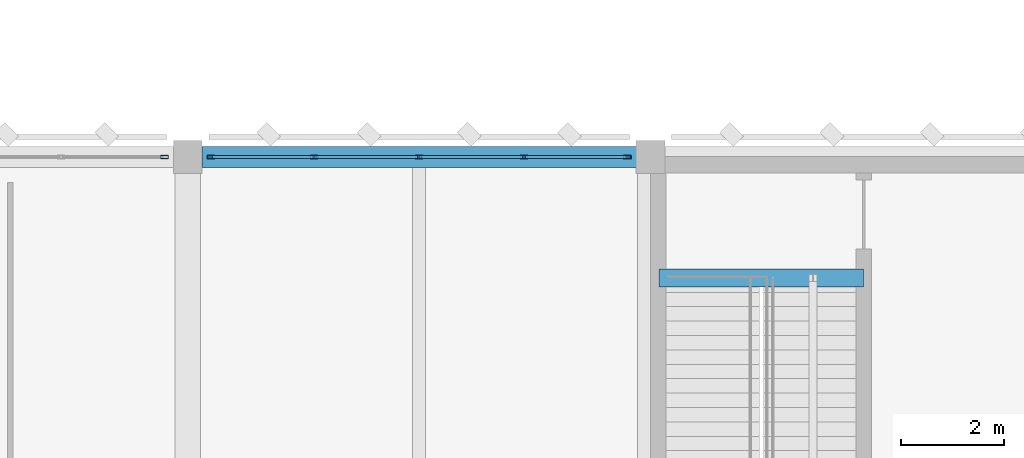
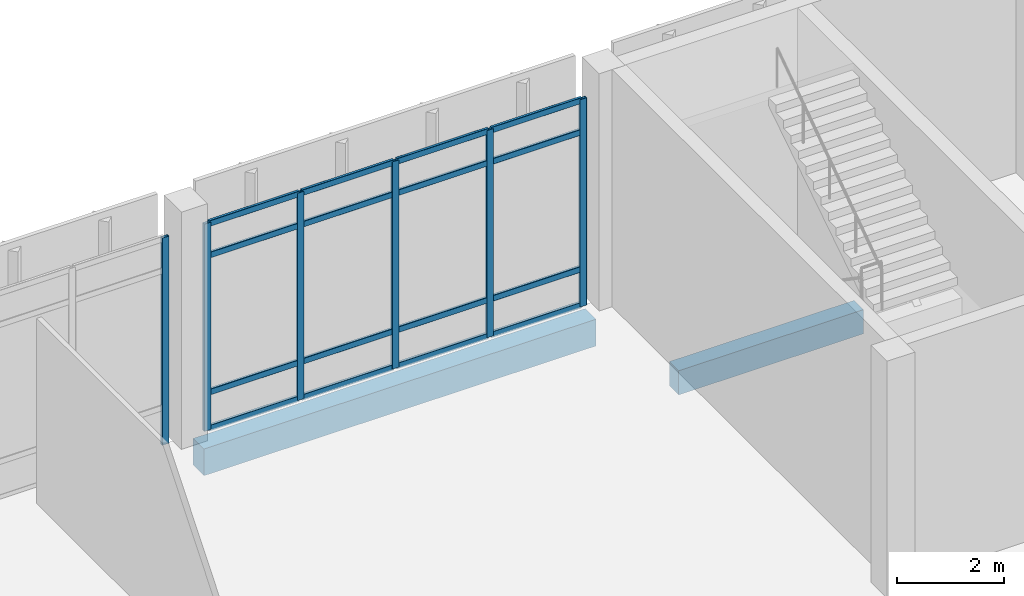
# One storey, part 93 of 180: 22 members, 2 beams, 2 elements without a shape of their own.
"""IFC4 building model written with IfcOpenShell, lengths in metres."""

from ifc_helpers import new_model, si_unit, direction, frame, origin, origin_2d, place, context, subcontext, project, spatial, rectangle, hollow_rectangle, extrude, material, material_profile, profile_set, type_object, element, aggregate, save


model = new_model("IFC4")

# Units and contexts
model_context = context("Model", 3, precision=1e-05, world=origin(), true_north=direction((0.0, 1.0)))
body_context = subcontext(model_context, "Body", "Model", "MODEL_VIEW")
ifc_project = project(units=[si_unit("LENGTHUNIT", "METRE"), si_unit("AREAUNIT", "SQUARE_METRE"), si_unit("VOLUMEUNIT", "CUBIC_METRE"), si_unit("PLANEANGLEUNIT", "RADIAN"), si_unit("MASSUNIT", "GRAM", prefix="KILO")], contexts=[model_context])

# Site, building, storey
site_placement = place(None, origin())
site = spatial("IfcSite", under=ifc_project, at=site_placement, CompositionType="ELEMENT")
building_placement = place(site_placement, origin())
building = spatial("IfcBuilding", under=site, at=building_placement, Name="Lusvemor Sports Hall", CompositionType="ELEMENT")
storey_placement = place(building_placement, frame((0.0, 0.0, 5.39990234375)))
storey = spatial("IfcBuildingStorey", under=building, at=storey_placement, Name="L01", CompositionType="ELEMENT", Elevation=5.39990234375)

# Beam
ifc_material_1 = material(Name="Concrete C40/50", Category="concrete")
ifc_material_profile_1 = material_profile(ifc_material_1, rectangle(XDim=0.35009765625, YDim=0.550048828125, at=origin_2d()), Name="RC350x550")
ifc_profile_set_1 = profile_set([ifc_material_profile_1], Name="Concrete C40/50")
beam_type_1 = type_object("IfcBeamType", Name="BEAM_RC_550", PredefinedType="BEAM", material=ifc_profile_set_1)
beam_1_placement = place(storey_placement, frame((102.760009765625, 112.85009765625, -0.454833984375), z_axis=(1.0, 0.0, 0.0), x_axis=(0.0, 1.0, 0.0)))
element("IfcBeam", 1, at=beam_1_placement, inside=storey, type_object=beam_type_1, Name="Stair STR-C4-L00 Top-Landing Beam", PredefinedType="BEAM", context=body_context, shape_type="SweptSolid", body=[
    extrude(rectangle(XDim=0.35009765625, YDim=0.550048828125, at=origin_2d()), origin(), (0.0, 0.0, 1.0), 3.97998046875),
])

# Curtain wall, member
ifc_material_2 = material(Name="Thermally broken bronze-anodized aluminium", Category="aluminium")
curtain_wall_type = type_object("IfcCurtainWallType", Name="CW_WING_B", PredefinedType="NOTDEFINED", material=ifc_material_2)
curtain_wall_1_placement = place(storey_placement, origin())
curtain_wall_1 = element("IfcCurtainWall", 2, at=curtain_wall_1_placement, inside=storey, type_object=curtain_wall_type, Name="Curtain Wall CW-L01-N-1-8", PredefinedType="NOTDEFINED")
ifc_material_3 = material(Name="Thermally broken bronze-anodized aluminium", Category="aluminium")
ifc_material_profile_2 = material_profile(ifc_material_3, hollow_rectangle(XDim=0.06494140625, YDim=0.14990234375, WallThickness=0.00390625, InnerFilletRadius=0.00390625, OuterFilletRadius=0.008056640625, at=origin_2d()), Name="CWMUL150x65x4")
ifc_profile_set_2 = profile_set([ifc_material_profile_2], Name="Thermally broken bronze-anodized aluminium")
member_type_1 = type_object("IfcMemberType", Name="CW_MUL_B", PredefinedType="MULLION", material=ifc_profile_set_2)
member_1_placement = place(storey_placement, frame((93.1474609375, 115.199951171875, 0.0), z_axis=(0.0, 0.0, 1.0), x_axis=(0.0, 1.0, 0.0)))
member_1 = element("IfcMember", 3, at=member_1_placement, type_object=member_type_1, Name="CW02 mullion 5", PredefinedType="MULLION", context=body_context, shape_type="SweptSolid", body=[
    extrude(hollow_rectangle(XDim=0.06494140625, YDim=0.14990234375, WallThickness=0.00390625, InnerFilletRadius=0.00390625, OuterFilletRadius=0.008056640625, at=origin_2d()), origin(), (0.0, 0.0, 1.0), 4.72021484375),
])
aggregate(curtain_wall_1, [member_1])

# Curtain wall, members
curtain_wall_2_placement = place(storey_placement, origin())
curtain_wall_2 = element("IfcCurtainWall", 4, at=curtain_wall_2_placement, inside=storey, type_object=curtain_wall_type, Name="Curtain Wall CW-L01-N-1-9", PredefinedType="NOTDEFINED")
member_2_placement = place(storey_placement, frame((94.052490234375, 115.199951171875, 0.0), z_axis=(0.0, 0.0, 1.0), x_axis=(0.0, 1.0, 0.0)))
member_2 = element("IfcMember", 5, at=member_2_placement, type_object=member_type_1, Name="CW02 mullion 1", PredefinedType="MULLION", context=body_context, shape_type="SweptSolid", body=[
    extrude(hollow_rectangle(XDim=0.06494140625, YDim=0.14990234375, WallThickness=0.00390625, InnerFilletRadius=0.00390625, OuterFilletRadius=0.008056640625, at=origin_2d()), origin(), (0.0, 0.0, 1.0), 4.72021484375),
])
member_3_placement = place(storey_placement, frame((96.06005859375, 115.199951171875, 0.0), z_axis=(0.0, 0.0, 1.0), x_axis=(0.0, 1.0, 0.0)))
member_3 = element("IfcMember", 6, at=member_3_placement, type_object=member_type_1, Name="CW02 mullion 2", PredefinedType="MULLION", context=body_context, shape_type="SweptSolid", body=[
    extrude(hollow_rectangle(XDim=0.06494140625, YDim=0.14990234375, WallThickness=0.00390625, InnerFilletRadius=0.00390625, OuterFilletRadius=0.008056640625, at=origin_2d()), origin(), (0.0, 0.0, 1.0), 4.72021484375),
])
member_4_placement = place(storey_placement, frame((98.10009765625, 115.199951171875, 0.0), z_axis=(0.0, 0.0, 1.0), x_axis=(0.0, 1.0, 0.0)))
member_4 = element("IfcMember", 7, at=member_4_placement, type_object=member_type_1, Name="CW02 mullion 3", PredefinedType="MULLION", context=body_context, shape_type="SweptSolid", body=[
    extrude(hollow_rectangle(XDim=0.06494140625, YDim=0.14990234375, WallThickness=0.00390625, InnerFilletRadius=0.00390625, OuterFilletRadius=0.008056640625, at=origin_2d()), origin(), (0.0, 0.0, 1.0), 4.72021484375),
])
member_5_placement = place(storey_placement, frame((100.139892578125, 115.199951171875, 0.0), z_axis=(0.0, 0.0, 1.0), x_axis=(0.0, 1.0, 0.0)))
member_5 = element("IfcMember", 8, at=member_5_placement, type_object=member_type_1, Name="CW02 mullion 4", PredefinedType="MULLION", context=body_context, shape_type="SweptSolid", body=[
    extrude(hollow_rectangle(XDim=0.06494140625, YDim=0.14990234375, WallThickness=0.00390625, InnerFilletRadius=0.00390625, OuterFilletRadius=0.008056640625, at=origin_2d()), origin(), (0.0, 0.0, 1.0), 4.72021484375),
])
member_6_placement = place(storey_placement, frame((102.1474609375, 115.199951171875, 0.0), z_axis=(0.0, 0.0, 1.0), x_axis=(0.0, 1.0, 0.0)))
member_6 = element("IfcMember", 9, at=member_6_placement, type_object=member_type_1, Name="CW02 mullion 5", PredefinedType="MULLION", context=body_context, shape_type="SweptSolid", body=[
    extrude(hollow_rectangle(XDim=0.06494140625, YDim=0.14990234375, WallThickness=0.00390625, InnerFilletRadius=0.00390625, OuterFilletRadius=0.008056640625, at=origin_2d()), origin(), (0.0, 0.0, 1.0), 4.72021484375),
])
ifc_material_4 = material(Name="Thermally broken bronze-anodized aluminium", Category="aluminium")
ifc_material_profile_3 = material_profile(ifc_material_4, hollow_rectangle(XDim=0.06005859375, YDim=0.135009765625, WallThickness=0.00390625, InnerFilletRadius=0.00390625, OuterFilletRadius=0.008056640625, at=origin_2d()), Name="CWTRN135x60x4")
ifc_profile_set_3 = profile_set([ifc_material_profile_3], Name="Thermally broken bronze-anodized aluminium")
member_type_2 = type_object("IfcMemberType", Name="CW_TRN_B", PredefinedType="USERDEFINED", material=ifc_profile_set_3)
member_7_placement = place(storey_placement, frame((94.0849609375, 115.199951171875, 0.030029296875), z_axis=(1.0, 0.0, 0.0), x_axis=(0.0, 1.0, 0.0)))
member_7 = element("IfcMember", 10, at=member_7_placement, type_object=member_type_2, Name="CW02 transom 1.1", ObjectType="TRANSOM", PredefinedType="USERDEFINED", context=body_context, shape_type="SweptSolid", body=[
    extrude(hollow_rectangle(XDim=0.06005859375, YDim=0.135009765625, WallThickness=0.00390625, InnerFilletRadius=0.00390625, OuterFilletRadius=0.008056640625, at=origin_2d()), origin(), (0.0, 0.0, 1.0), 1.942626953125),
])
member_8_placement = place(storey_placement, frame((94.0849609375, 115.199951171875, 0.85009765625), z_axis=(1.0, 0.0, 0.0), x_axis=(0.0, 1.0, 0.0)))
member_8 = element("IfcMember", 11, at=member_8_placement, type_object=member_type_2, Name="CW02 transom 1.2", ObjectType="TRANSOM", PredefinedType="USERDEFINED", context=body_context, shape_type="SweptSolid", body=[
    extrude(hollow_rectangle(XDim=0.06005859375, YDim=0.135009765625, WallThickness=0.00390625, InnerFilletRadius=0.00390625, OuterFilletRadius=0.008056640625, at=origin_2d()), origin(), (0.0, 0.0, 1.0), 1.942626953125),
])
member_9_placement = place(storey_placement, frame((94.0849609375, 115.199951171875, 3.97021484375), z_axis=(1.0, 0.0, 0.0), x_axis=(0.0, 1.0, 0.0)))
member_9 = element("IfcMember", 12, at=member_9_placement, type_object=member_type_2, Name="CW02 transom 1.3", ObjectType="TRANSOM", PredefinedType="USERDEFINED", context=body_context, shape_type="SweptSolid", body=[
    extrude(hollow_rectangle(XDim=0.06005859375, YDim=0.135009765625, WallThickness=0.00390625, InnerFilletRadius=0.00390625, OuterFilletRadius=0.008056640625, at=origin_2d()), origin(), (0.0, 0.0, 1.0), 1.942626953125),
])
member_10_placement = place(storey_placement, frame((94.0849609375, 115.199951171875, 4.690185546875), z_axis=(1.0, 0.0, 0.0), x_axis=(0.0, 1.0, 0.0)))
member_10 = element("IfcMember", 13, at=member_10_placement, type_object=member_type_2, Name="CW02 transom 1.4", ObjectType="TRANSOM", PredefinedType="USERDEFINED", context=body_context, shape_type="SweptSolid", body=[
    extrude(hollow_rectangle(XDim=0.06005859375, YDim=0.135009765625, WallThickness=0.00390625, InnerFilletRadius=0.00390625, OuterFilletRadius=0.008056640625, at=origin_2d()), origin(), (0.0, 0.0, 1.0), 1.942626953125),
])
member_11_placement = place(storey_placement, frame((96.092529296875, 115.199951171875, 0.030029296875), z_axis=(1.0, 0.0, 0.0), x_axis=(0.0, 1.0, 0.0)))
member_11 = element("IfcMember", 14, at=member_11_placement, type_object=member_type_2, Name="CW02 transom 2.1", ObjectType="TRANSOM", PredefinedType="USERDEFINED", context=body_context, shape_type="SweptSolid", body=[
    extrude(hollow_rectangle(XDim=0.06005859375, YDim=0.135009765625, WallThickness=0.00390625, InnerFilletRadius=0.00390625, OuterFilletRadius=0.008056640625, at=origin_2d()), origin(), (0.0, 0.0, 1.0), 1.974853515625),
])
member_12_placement = place(storey_placement, frame((96.092529296875, 115.199951171875, 0.85009765625), z_axis=(1.0, 0.0, 0.0), x_axis=(0.0, 1.0, 0.0)))
member_12 = element("IfcMember", 15, at=member_12_placement, type_object=member_type_2, Name="CW02 transom 2.2", ObjectType="TRANSOM", PredefinedType="USERDEFINED", context=body_context, shape_type="SweptSolid", body=[
    extrude(hollow_rectangle(XDim=0.06005859375, YDim=0.135009765625, WallThickness=0.00390625, InnerFilletRadius=0.00390625, OuterFilletRadius=0.008056640625, at=origin_2d()), origin(), (0.0, 0.0, 1.0), 1.974853515625),
])
member_13_placement = place(storey_placement, frame((96.092529296875, 115.199951171875, 3.97021484375), z_axis=(1.0, 0.0, 0.0), x_axis=(0.0, 1.0, 0.0)))
member_13 = element("IfcMember", 16, at=member_13_placement, type_object=member_type_2, Name="CW02 transom 2.3", ObjectType="TRANSOM", PredefinedType="USERDEFINED", context=body_context, shape_type="SweptSolid", body=[
    extrude(hollow_rectangle(XDim=0.06005859375, YDim=0.135009765625, WallThickness=0.00390625, InnerFilletRadius=0.00390625, OuterFilletRadius=0.008056640625, at=origin_2d()), origin(), (0.0, 0.0, 1.0), 1.974853515625),
])
member_14_placement = place(storey_placement, frame((96.092529296875, 115.199951171875, 4.690185546875), z_axis=(1.0, 0.0, 0.0), x_axis=(0.0, 1.0, 0.0)))
member_14 = element("IfcMember", 17, at=member_14_placement, type_object=member_type_2, Name="CW02 transom 2.4", ObjectType="TRANSOM", PredefinedType="USERDEFINED", context=body_context, shape_type="SweptSolid", body=[
    extrude(hollow_rectangle(XDim=0.06005859375, YDim=0.135009765625, WallThickness=0.00390625, InnerFilletRadius=0.00390625, OuterFilletRadius=0.008056640625, at=origin_2d()), origin(), (0.0, 0.0, 1.0), 1.974853515625),
])
member_15_placement = place(storey_placement, frame((98.132568359375, 115.199951171875, 0.030029296875), z_axis=(1.0, 0.0, 0.0), x_axis=(0.0, 1.0, 0.0)))
member_15 = element("IfcMember", 18, at=member_15_placement, type_object=member_type_2, Name="CW02 transom 3.1", ObjectType="TRANSOM", PredefinedType="USERDEFINED", context=body_context, shape_type="SweptSolid", body=[
    extrude(hollow_rectangle(XDim=0.06005859375, YDim=0.135009765625, WallThickness=0.00390625, InnerFilletRadius=0.00390625, OuterFilletRadius=0.008056640625, at=origin_2d()), origin(), (0.0, 0.0, 1.0), 1.974853515625),
])
member_16_placement = place(storey_placement, frame((98.132568359375, 115.199951171875, 0.85009765625), z_axis=(1.0, 0.0, 0.0), x_axis=(0.0, 1.0, 0.0)))
member_16 = element("IfcMember", 19, at=member_16_placement, type_object=member_type_2, Name="CW02 transom 3.2", ObjectType="TRANSOM", PredefinedType="USERDEFINED", context=body_context, shape_type="SweptSolid", body=[
    extrude(hollow_rectangle(XDim=0.06005859375, YDim=0.135009765625, WallThickness=0.00390625, InnerFilletRadius=0.00390625, OuterFilletRadius=0.008056640625, at=origin_2d()), origin(), (0.0, 0.0, 1.0), 1.974853515625),
])
member_17_placement = place(storey_placement, frame((98.132568359375, 115.199951171875, 3.97021484375), z_axis=(1.0, 0.0, 0.0), x_axis=(0.0, 1.0, 0.0)))
member_17 = element("IfcMember", 20, at=member_17_placement, type_object=member_type_2, Name="CW02 transom 3.3", ObjectType="TRANSOM", PredefinedType="USERDEFINED", context=body_context, shape_type="SweptSolid", body=[
    extrude(hollow_rectangle(XDim=0.06005859375, YDim=0.135009765625, WallThickness=0.00390625, InnerFilletRadius=0.00390625, OuterFilletRadius=0.008056640625, at=origin_2d()), origin(), (0.0, 0.0, 1.0), 1.974853515625),
])
member_18_placement = place(storey_placement, frame((98.132568359375, 115.199951171875, 4.690185546875), z_axis=(1.0, 0.0, 0.0), x_axis=(0.0, 1.0, 0.0)))
member_18 = element("IfcMember", 21, at=member_18_placement, type_object=member_type_2, Name="CW02 transom 3.4", ObjectType="TRANSOM", PredefinedType="USERDEFINED", context=body_context, shape_type="SweptSolid", body=[
    extrude(hollow_rectangle(XDim=0.06005859375, YDim=0.135009765625, WallThickness=0.00390625, InnerFilletRadius=0.00390625, OuterFilletRadius=0.008056640625, at=origin_2d()), origin(), (0.0, 0.0, 1.0), 1.974853515625),
])
member_19_placement = place(storey_placement, frame((100.172607421875, 115.199951171875, 0.030029296875), z_axis=(1.0, 0.0, 0.0), x_axis=(0.0, 1.0, 0.0)))
member_19 = element("IfcMember", 22, at=member_19_placement, type_object=member_type_2, Name="CW02 transom 4.1", ObjectType="TRANSOM", PredefinedType="USERDEFINED", context=body_context, shape_type="SweptSolid", body=[
    extrude(hollow_rectangle(XDim=0.06005859375, YDim=0.135009765625, WallThickness=0.00390625, InnerFilletRadius=0.00390625, OuterFilletRadius=0.008056640625, at=origin_2d()), origin(), (0.0, 0.0, 1.0), 1.9423828125),
])
member_20_placement = place(storey_placement, frame((100.172607421875, 115.199951171875, 0.85009765625), z_axis=(1.0, 0.0, 0.0), x_axis=(0.0, 1.0, 0.0)))
member_20 = element("IfcMember", 23, at=member_20_placement, type_object=member_type_2, Name="CW02 transom 4.2", ObjectType="TRANSOM", PredefinedType="USERDEFINED", context=body_context, shape_type="SweptSolid", body=[
    extrude(hollow_rectangle(XDim=0.06005859375, YDim=0.135009765625, WallThickness=0.00390625, InnerFilletRadius=0.00390625, OuterFilletRadius=0.008056640625, at=origin_2d()), origin(), (0.0, 0.0, 1.0), 1.9423828125),
])
member_21_placement = place(storey_placement, frame((100.172607421875, 115.199951171875, 3.97021484375), z_axis=(1.0, 0.0, 0.0), x_axis=(0.0, 1.0, 0.0)))
member_21 = element("IfcMember", 24, at=member_21_placement, type_object=member_type_2, Name="CW02 transom 4.3", ObjectType="TRANSOM", PredefinedType="USERDEFINED", context=body_context, shape_type="SweptSolid", body=[
    extrude(hollow_rectangle(XDim=0.06005859375, YDim=0.135009765625, WallThickness=0.00390625, InnerFilletRadius=0.00390625, OuterFilletRadius=0.008056640625, at=origin_2d()), origin(), (0.0, 0.0, 1.0), 1.9423828125),
])
member_22_placement = place(storey_placement, frame((100.172607421875, 115.199951171875, 4.690185546875), z_axis=(1.0, 0.0, 0.0), x_axis=(0.0, 1.0, 0.0)))
member_22 = element("IfcMember", 25, at=member_22_placement, type_object=member_type_2, Name="CW02 transom 4.4", ObjectType="TRANSOM", PredefinedType="USERDEFINED", context=body_context, shape_type="SweptSolid", body=[
    extrude(hollow_rectangle(XDim=0.06005859375, YDim=0.135009765625, WallThickness=0.00390625, InnerFilletRadius=0.00390625, OuterFilletRadius=0.008056640625, at=origin_2d()), origin(), (0.0, 0.0, 1.0), 1.9423828125),
])
aggregate(curtain_wall_2, [member_2, member_3, member_4, member_5, member_6, member_7, member_8, member_9, member_10, member_11, member_12, member_13, member_14, member_15, member_16, member_17, member_18, member_19, member_20, member_21, member_22])

# Beam
ifc_material_5 = material(Name="Concrete C40/50", Category="concrete")
ifc_material_profile_4 = material_profile(ifc_material_5, rectangle(XDim=0.39990234375, YDim=0.610107421875, at=origin_2d()), Name="RC400x610")
ifc_profile_set_4 = profile_set([ifc_material_profile_4], Name="Concrete C40/50")
beam_type_2 = type_object("IfcBeamType", Name="SPAND_EXT_650", PredefinedType="SPANDREL", material=ifc_profile_set_4)
beam_2_placement = place(storey_placement, frame((93.8759765625, 115.199951171875, -0.56494140625), z_axis=(1.0, 0.0, 0.0), x_axis=(0.0, 1.0, 0.0)))
element("IfcBeam", 26, at=beam_2_placement, inside=storey, type_object=beam_type_2, Name="Beam L01 Q:10-11", PredefinedType="SPANDREL", context=body_context, shape_type="SweptSolid", body=[
    extrude(rectangle(XDim=0.39990234375, YDim=0.610107421875, at=origin_2d()), origin(), (0.0, 0.0, 1.0), 8.447998046875),
])

save(model, "model.ifc")
